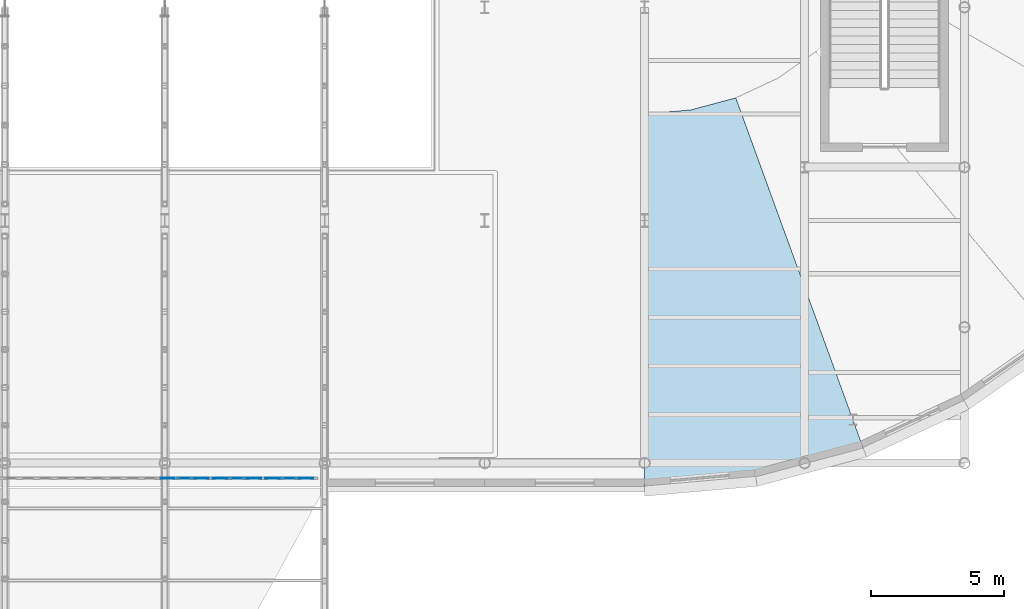
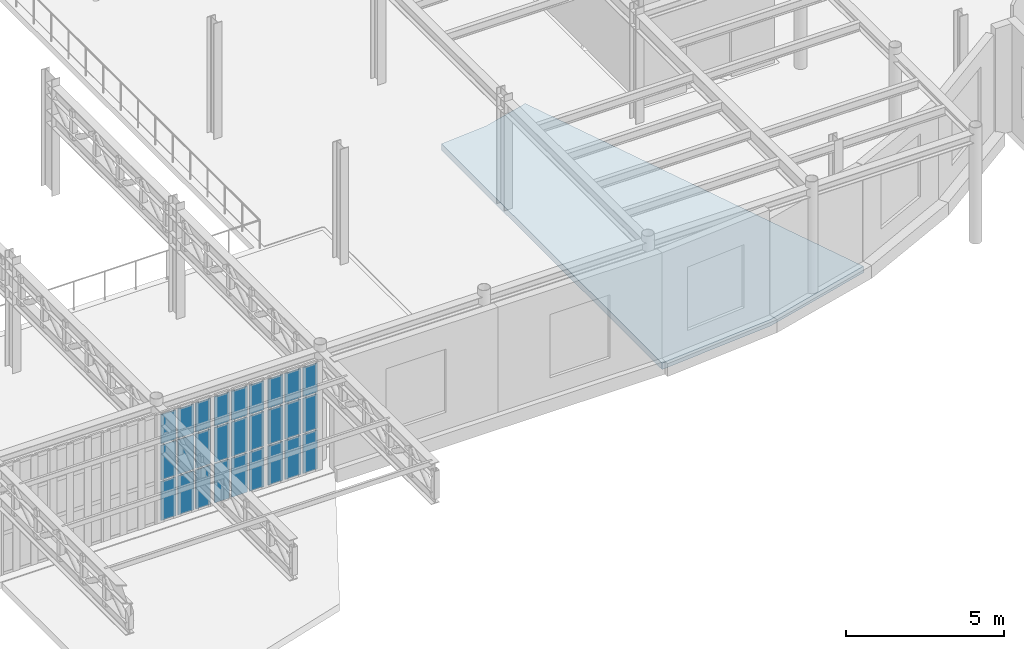
# One storey, part 51 of 91: 27 plates, 1 slab, 3 elements without a shape of their own.
"""IFC4 building model written with IfcOpenShell, lengths in metres."""

from ifc_helpers import new_model, si_unit, direction, frame, origin, origin_2d, place, context, subcontext, project, spatial, polyline, rectangle, outline, extrude, material, layer, layer_set, type_object, element, aggregate, save


model = new_model("IFC4")

# Units and contexts
model_context = context("Model", 3, precision=1e-05, world=origin(), true_north=direction((0.0, 1.0)))
body_context = subcontext(model_context, "Body", "Model", "MODEL_VIEW")
ifc_project = project(units=[si_unit("LENGTHUNIT", "METRE"), si_unit("AREAUNIT", "SQUARE_METRE"), si_unit("VOLUMEUNIT", "CUBIC_METRE"), si_unit("PLANEANGLEUNIT", "RADIAN"), si_unit("MASSUNIT", "GRAM", prefix="KILO")], contexts=[model_context])

# Site, building, storey
site_placement = place(None, origin())
site = spatial("IfcSite", under=ifc_project, at=site_placement, CompositionType="ELEMENT")
building_placement = place(site_placement, origin())
building = spatial("IfcBuilding", under=site, at=building_placement, Name="Kolvaren Corner Interchange", CompositionType="ELEMENT")
storey_placement = place(building_placement, frame((0.0, 0.0, 6.0)))
storey = spatial("IfcBuildingStorey", under=building, at=storey_placement, Name="L02", CompositionType="ELEMENT", Elevation=6.0)

# Curtain wall, plates
ifc_material_1 = material(Name="Unitised Aluminium and Solar-Control Glass Curtain Wall", Category="aluminium")
curtain_wall_type = type_object("IfcCurtainWallType", Name="CW-V1-MEZZ", PredefinedType="NOTDEFINED", material=ifc_material_1)
curtain_wall_1_placement = place(storey_placement, origin())
curtain_wall_1 = element("IfcCurtainWall", 1, at=curtain_wall_1_placement, inside=storey, type_object=curtain_wall_type, Name="South Portal Mezzanine Curtain Wall Bay 16", PredefinedType="NOTDEFINED")
ifc_material_2 = material(Name="Low-E Solar-Control Laminated Glass", Category="glass")
ifc_layer_1 = layer(ifc_material_2, 0.035888671875)
ifc_layer_set_1 = layer_set([ifc_layer_1], Name="Low-E Solar-Control Laminated Glass")
plate_type = type_object("IfcPlateType", Name="PLT-CW-GL32", PredefinedType="CURTAIN_PANEL", material=ifc_layer_set_1)
plate_1_placement = place(storey_placement, frame((102.1123046875, 24.340087890625, 0.06005859375), z_axis=(0.0, 0.0, 1.0), x_axis=(1.0, 0.0, 0.0)))
plate_1 = element("IfcPlate", 2, at=plate_1_placement, type_object=plate_type, Name="CW-034 panel 1.1", PredefinedType="CURTAIN_PANEL", context=body_context, shape_type="SweptSolid", body=[
    extrude(rectangle(XDim=0.541259765625, YDim=0.035888671875, at=origin_2d()), origin(), (0.0, 0.0, 1.0), 1.510009765625),
])
plate_2_placement = place(storey_placement, frame((102.1123046875, 24.340087890625, 1.6298828125), z_axis=(0.0, 0.0, 1.0), x_axis=(1.0, 0.0, 0.0)))
plate_2 = element("IfcPlate", 3, at=plate_2_placement, type_object=plate_type, Name="CW-034 panel 1.2", PredefinedType="CURTAIN_PANEL", context=body_context, shape_type="SweptSolid", body=[
    extrude(rectangle(XDim=0.541259765625, YDim=0.035888671875, at=origin_2d()), origin(), (0.0, 0.0, 1.0), 1.340087890625),
])
plate_3_placement = place(storey_placement, frame((102.1123046875, 24.340087890625, 3.030029296875), z_axis=(0.0, 0.0, 1.0), x_axis=(1.0, 0.0, 0.0)))
plate_3 = element("IfcPlate", 4, at=plate_3_placement, type_object=plate_type, Name="CW-034 panel 1.3", PredefinedType="CURTAIN_PANEL", context=body_context, shape_type="SweptSolid", body=[
    extrude(rectangle(XDim=0.541259765625, YDim=0.035888671875, at=origin_2d()), origin(), (0.0, 0.0, 1.0), 1.1298828125),
])
plate_4_placement = place(storey_placement, frame((102.747314453125, 24.340087890625, 0.06005859375), z_axis=(0.0, 0.0, 1.0), x_axis=(1.0, 0.0, 0.0)))
plate_4 = element("IfcPlate", 5, at=plate_4_placement, type_object=plate_type, Name="CW-034 panel 2.1", PredefinedType="CURTAIN_PANEL", context=body_context, shape_type="SweptSolid", body=[
    extrude(rectangle(XDim=0.57861328125, YDim=0.035888671875, at=origin_2d()), origin(), (0.0, 0.0, 1.0), 1.510009765625),
])
plate_5_placement = place(storey_placement, frame((102.747314453125, 24.340087890625, 1.6298828125), z_axis=(0.0, 0.0, 1.0), x_axis=(1.0, 0.0, 0.0)))
plate_5 = element("IfcPlate", 6, at=plate_5_placement, type_object=plate_type, Name="CW-034 panel 2.2", PredefinedType="CURTAIN_PANEL", context=body_context, shape_type="SweptSolid", body=[
    extrude(rectangle(XDim=0.57861328125, YDim=0.035888671875, at=origin_2d()), origin(), (0.0, 0.0, 1.0), 1.340087890625),
])
plate_6_placement = place(storey_placement, frame((102.747314453125, 24.340087890625, 3.030029296875), z_axis=(0.0, 0.0, 1.0), x_axis=(1.0, 0.0, 0.0)))
plate_6 = element("IfcPlate", 7, at=plate_6_placement, type_object=plate_type, Name="CW-034 panel 2.3", PredefinedType="CURTAIN_PANEL", context=body_context, shape_type="SweptSolid", body=[
    extrude(rectangle(XDim=0.57861328125, YDim=0.035888671875, at=origin_2d()), origin(), (0.0, 0.0, 1.0), 1.1298828125),
])
plate_7_placement = place(storey_placement, frame((103.382080078125, 24.340087890625, 0.06005859375), z_axis=(0.0, 0.0, 1.0), x_axis=(1.0, 0.0, 0.0)))
plate_7 = element("IfcPlate", 8, at=plate_7_placement, type_object=plate_type, Name="CW-034 panel 3.1", PredefinedType="CURTAIN_PANEL", context=body_context, shape_type="SweptSolid", body=[
    extrude(rectangle(XDim=0.541259765625, YDim=0.035888671875, at=origin_2d()), origin(), (0.0, 0.0, 1.0), 1.510009765625),
])
plate_8_placement = place(storey_placement, frame((103.382080078125, 24.340087890625, 1.6298828125), z_axis=(0.0, 0.0, 1.0), x_axis=(1.0, 0.0, 0.0)))
plate_8 = element("IfcPlate", 9, at=plate_8_placement, type_object=plate_type, Name="CW-034 panel 3.2", PredefinedType="CURTAIN_PANEL", context=body_context, shape_type="SweptSolid", body=[
    extrude(rectangle(XDim=0.541259765625, YDim=0.035888671875, at=origin_2d()), origin(), (0.0, 0.0, 1.0), 1.340087890625),
])
plate_9_placement = place(storey_placement, frame((103.382080078125, 24.340087890625, 3.030029296875), z_axis=(0.0, 0.0, 1.0), x_axis=(1.0, 0.0, 0.0)))
plate_9 = element("IfcPlate", 10, at=plate_9_placement, type_object=plate_type, Name="CW-034 panel 3.3", PredefinedType="CURTAIN_PANEL", context=body_context, shape_type="SweptSolid", body=[
    extrude(rectangle(XDim=0.541259765625, YDim=0.035888671875, at=origin_2d()), origin(), (0.0, 0.0, 1.0), 1.1298828125),
])
aggregate(curtain_wall_1, [plate_1, plate_2, plate_3, plate_4, plate_5, plate_6, plate_7, plate_8, plate_9])

curtain_wall_2_placement = place(storey_placement, origin())
curtain_wall_2 = element("IfcCurtainWall", 11, at=curtain_wall_2_placement, inside=storey, type_object=curtain_wall_type, Name="South Portal Mezzanine Curtain Wall Bay 17", PredefinedType="NOTDEFINED")
plate_10_placement = place(storey_placement, frame((104.073486328125, 24.340087890625, 0.06005859375), z_axis=(0.0, 0.0, 1.0), x_axis=(1.0, 0.0, 0.0)))
plate_10 = element("IfcPlate", 12, at=plate_10_placement, type_object=plate_type, Name="CW-035 panel 1.1", PredefinedType="CURTAIN_PANEL", context=body_context, shape_type="SweptSolid", body=[
    extrude(rectangle(XDim=0.541259765625, YDim=0.035888671875, at=origin_2d()), origin(), (0.0, 0.0, 1.0), 1.510009765625),
])
plate_11_placement = place(storey_placement, frame((104.073486328125, 24.340087890625, 1.6298828125), z_axis=(0.0, 0.0, 1.0), x_axis=(1.0, 0.0, 0.0)))
plate_11 = element("IfcPlate", 13, at=plate_11_placement, type_object=plate_type, Name="CW-035 panel 1.2", PredefinedType="CURTAIN_PANEL", context=body_context, shape_type="SweptSolid", body=[
    extrude(rectangle(XDim=0.541259765625, YDim=0.035888671875, at=origin_2d()), origin(), (0.0, 0.0, 1.0), 1.340087890625),
])
plate_12_placement = place(storey_placement, frame((104.073486328125, 24.340087890625, 3.030029296875), z_axis=(0.0, 0.0, 1.0), x_axis=(1.0, 0.0, 0.0)))
plate_12 = element("IfcPlate", 14, at=plate_12_placement, type_object=plate_type, Name="CW-035 panel 1.3", PredefinedType="CURTAIN_PANEL", context=body_context, shape_type="SweptSolid", body=[
    extrude(rectangle(XDim=0.541259765625, YDim=0.035888671875, at=origin_2d()), origin(), (0.0, 0.0, 1.0), 1.1298828125),
])
plate_13_placement = place(storey_placement, frame((104.708251953125, 24.340087890625, 0.06005859375), z_axis=(0.0, 0.0, 1.0), x_axis=(1.0, 0.0, 0.0)))
plate_13 = element("IfcPlate", 15, at=plate_13_placement, type_object=plate_type, Name="CW-035 panel 2.1", PredefinedType="CURTAIN_PANEL", context=body_context, shape_type="SweptSolid", body=[
    extrude(rectangle(XDim=0.57861328125, YDim=0.035888671875, at=origin_2d()), origin(), (0.0, 0.0, 1.0), 1.510009765625),
])
plate_14_placement = place(storey_placement, frame((104.708251953125, 24.340087890625, 1.6298828125), z_axis=(0.0, 0.0, 1.0), x_axis=(1.0, 0.0, 0.0)))
plate_14 = element("IfcPlate", 16, at=plate_14_placement, type_object=plate_type, Name="CW-035 panel 2.2", PredefinedType="CURTAIN_PANEL", context=body_context, shape_type="SweptSolid", body=[
    extrude(rectangle(XDim=0.57861328125, YDim=0.035888671875, at=origin_2d()), origin(), (0.0, 0.0, 1.0), 1.340087890625),
])
plate_15_placement = place(storey_placement, frame((104.708251953125, 24.340087890625, 3.030029296875), z_axis=(0.0, 0.0, 1.0), x_axis=(1.0, 0.0, 0.0)))
plate_15 = element("IfcPlate", 17, at=plate_15_placement, type_object=plate_type, Name="CW-035 panel 2.3", PredefinedType="CURTAIN_PANEL", context=body_context, shape_type="SweptSolid", body=[
    extrude(rectangle(XDim=0.57861328125, YDim=0.035888671875, at=origin_2d()), origin(), (0.0, 0.0, 1.0), 1.1298828125),
])
plate_16_placement = place(storey_placement, frame((105.34326171875, 24.340087890625, 0.06005859375), z_axis=(0.0, 0.0, 1.0), x_axis=(1.0, 0.0, 0.0)))
plate_16 = element("IfcPlate", 18, at=plate_16_placement, type_object=plate_type, Name="CW-035 panel 3.1", PredefinedType="CURTAIN_PANEL", context=body_context, shape_type="SweptSolid", body=[
    extrude(rectangle(XDim=0.541259765625, YDim=0.035888671875, at=origin_2d()), origin(), (0.0, 0.0, 1.0), 1.510009765625),
])
plate_17_placement = place(storey_placement, frame((105.34326171875, 24.340087890625, 1.6298828125), z_axis=(0.0, 0.0, 1.0), x_axis=(1.0, 0.0, 0.0)))
plate_17 = element("IfcPlate", 19, at=plate_17_placement, type_object=plate_type, Name="CW-035 panel 3.2", PredefinedType="CURTAIN_PANEL", context=body_context, shape_type="SweptSolid", body=[
    extrude(rectangle(XDim=0.541259765625, YDim=0.035888671875, at=origin_2d()), origin(), (0.0, 0.0, 1.0), 1.340087890625),
])
plate_18_placement = place(storey_placement, frame((105.34326171875, 24.340087890625, 3.030029296875), z_axis=(0.0, 0.0, 1.0), x_axis=(1.0, 0.0, 0.0)))
plate_18 = element("IfcPlate", 20, at=plate_18_placement, type_object=plate_type, Name="CW-035 panel 3.3", PredefinedType="CURTAIN_PANEL", context=body_context, shape_type="SweptSolid", body=[
    extrude(rectangle(XDim=0.541259765625, YDim=0.035888671875, at=origin_2d()), origin(), (0.0, 0.0, 1.0), 1.1298828125),
])
aggregate(curtain_wall_2, [plate_10, plate_11, plate_12, plate_13, plate_14, plate_15, plate_16, plate_17, plate_18])

curtain_wall_3_placement = place(storey_placement, origin())
curtain_wall_3 = element("IfcCurtainWall", 21, at=curtain_wall_3_placement, inside=storey, type_object=curtain_wall_type, Name="South Portal Mezzanine Curtain Wall Bay 18", PredefinedType="NOTDEFINED")
plate_19_placement = place(storey_placement, frame((106.034423828125, 24.340087890625, 0.06005859375), z_axis=(0.0, 0.0, 1.0), x_axis=(1.0, 0.0, 0.0)))
plate_19 = element("IfcPlate", 22, at=plate_19_placement, type_object=plate_type, Name="CW-036 panel 1.1", PredefinedType="CURTAIN_PANEL", context=body_context, shape_type="SweptSolid", body=[
    extrude(rectangle(XDim=0.541259765625, YDim=0.035888671875, at=origin_2d()), origin(), (0.0, 0.0, 1.0), 1.510009765625),
])
plate_20_placement = place(storey_placement, frame((106.034423828125, 24.340087890625, 1.6298828125), z_axis=(0.0, 0.0, 1.0), x_axis=(1.0, 0.0, 0.0)))
plate_20 = element("IfcPlate", 23, at=plate_20_placement, type_object=plate_type, Name="CW-036 panel 1.2", PredefinedType="CURTAIN_PANEL", context=body_context, shape_type="SweptSolid", body=[
    extrude(rectangle(XDim=0.541259765625, YDim=0.035888671875, at=origin_2d()), origin(), (0.0, 0.0, 1.0), 1.340087890625),
])
plate_21_placement = place(storey_placement, frame((106.034423828125, 24.340087890625, 3.030029296875), z_axis=(0.0, 0.0, 1.0), x_axis=(1.0, 0.0, 0.0)))
plate_21 = element("IfcPlate", 24, at=plate_21_placement, type_object=plate_type, Name="CW-036 panel 1.3", PredefinedType="CURTAIN_PANEL", context=body_context, shape_type="SweptSolid", body=[
    extrude(rectangle(XDim=0.541259765625, YDim=0.035888671875, at=origin_2d()), origin(), (0.0, 0.0, 1.0), 1.1298828125),
])
plate_22_placement = place(storey_placement, frame((106.66943359375, 24.340087890625, 0.06005859375), z_axis=(0.0, 0.0, 1.0), x_axis=(1.0, 0.0, 0.0)))
plate_22 = element("IfcPlate", 25, at=plate_22_placement, type_object=plate_type, Name="CW-036 panel 2.1", PredefinedType="CURTAIN_PANEL", context=body_context, shape_type="SweptSolid", body=[
    extrude(rectangle(XDim=0.57861328125, YDim=0.035888671875, at=origin_2d()), origin(), (0.0, 0.0, 1.0), 1.510009765625),
])
plate_23_placement = place(storey_placement, frame((106.66943359375, 24.340087890625, 1.6298828125), z_axis=(0.0, 0.0, 1.0), x_axis=(1.0, 0.0, 0.0)))
plate_23 = element("IfcPlate", 26, at=plate_23_placement, type_object=plate_type, Name="CW-036 panel 2.2", PredefinedType="CURTAIN_PANEL", context=body_context, shape_type="SweptSolid", body=[
    extrude(rectangle(XDim=0.57861328125, YDim=0.035888671875, at=origin_2d()), origin(), (0.0, 0.0, 1.0), 1.340087890625),
])
plate_24_placement = place(storey_placement, frame((106.66943359375, 24.340087890625, 3.030029296875), z_axis=(0.0, 0.0, 1.0), x_axis=(1.0, 0.0, 0.0)))
plate_24 = element("IfcPlate", 27, at=plate_24_placement, type_object=plate_type, Name="CW-036 panel 2.3", PredefinedType="CURTAIN_PANEL", context=body_context, shape_type="SweptSolid", body=[
    extrude(rectangle(XDim=0.57861328125, YDim=0.035888671875, at=origin_2d()), origin(), (0.0, 0.0, 1.0), 1.1298828125),
])
plate_25_placement = place(storey_placement, frame((107.304443359375, 24.340087890625, 0.06005859375), z_axis=(0.0, 0.0, 1.0), x_axis=(1.0, 0.0, 0.0)))
plate_25 = element("IfcPlate", 28, at=plate_25_placement, type_object=plate_type, Name="CW-036 panel 3.1", PredefinedType="CURTAIN_PANEL", context=body_context, shape_type="SweptSolid", body=[
    extrude(rectangle(XDim=0.541259765625, YDim=0.035888671875, at=origin_2d()), origin(), (0.0, 0.0, 1.0), 1.510009765625),
])
plate_26_placement = place(storey_placement, frame((107.304443359375, 24.340087890625, 1.6298828125), z_axis=(0.0, 0.0, 1.0), x_axis=(1.0, 0.0, 0.0)))
plate_26 = element("IfcPlate", 29, at=plate_26_placement, type_object=plate_type, Name="CW-036 panel 3.2", PredefinedType="CURTAIN_PANEL", context=body_context, shape_type="SweptSolid", body=[
    extrude(rectangle(XDim=0.541259765625, YDim=0.035888671875, at=origin_2d()), origin(), (0.0, 0.0, 1.0), 1.340087890625),
])
plate_27_placement = place(storey_placement, frame((107.304443359375, 24.340087890625, 3.030029296875), z_axis=(0.0, 0.0, 1.0), x_axis=(1.0, 0.0, 0.0)))
plate_27 = element("IfcPlate", 30, at=plate_27_placement, type_object=plate_type, Name="CW-036 panel 3.3", PredefinedType="CURTAIN_PANEL", context=body_context, shape_type="SweptSolid", body=[
    extrude(rectangle(XDim=0.541259765625, YDim=0.035888671875, at=origin_2d()), origin(), (0.0, 0.0, 1.0), 1.1298828125),
])
aggregate(curtain_wall_3, [plate_19, plate_20, plate_21, plate_22, plate_23, plate_24, plate_25, plate_26, plate_27])

# Slab
ifc_material_3 = material(Name="Concrete C35/45", Category="concrete")
ifc_layer_2 = layer(ifc_material_3, 0.25)
ifc_layer_set_2 = layer_set([ifc_layer_2], Name="Concrete C35/45")
slab_type = type_object("IfcSlabType", Name="SL-COMP-250", PredefinedType="FLOOR", material=ifc_layer_set_2)
slab_placement = place(storey_placement, frame((0.0, 0.0, -0.25)))
element("IfcSlab", 31, at=slab_placement, inside=storey, type_object=slab_type, Name="Level 02 Racetrack East Gallery Radial Slab 01", PredefinedType="FLOOR", context=body_context, shape_type="SweptSolid", body=[
    extrude(outline(polyline([(120.0, 38.0), (120.0, 24.0), (124.16748046875, 24.364501953125), (128.20849609375, 25.447509765625), (123.420166015625, 38.60302734375), (121.736572265625, 38.15185546875), (120.0, 38.0)])), origin(), (0.0, 0.0, 1.0), 0.25),
])

save(model, "model.ifc")
